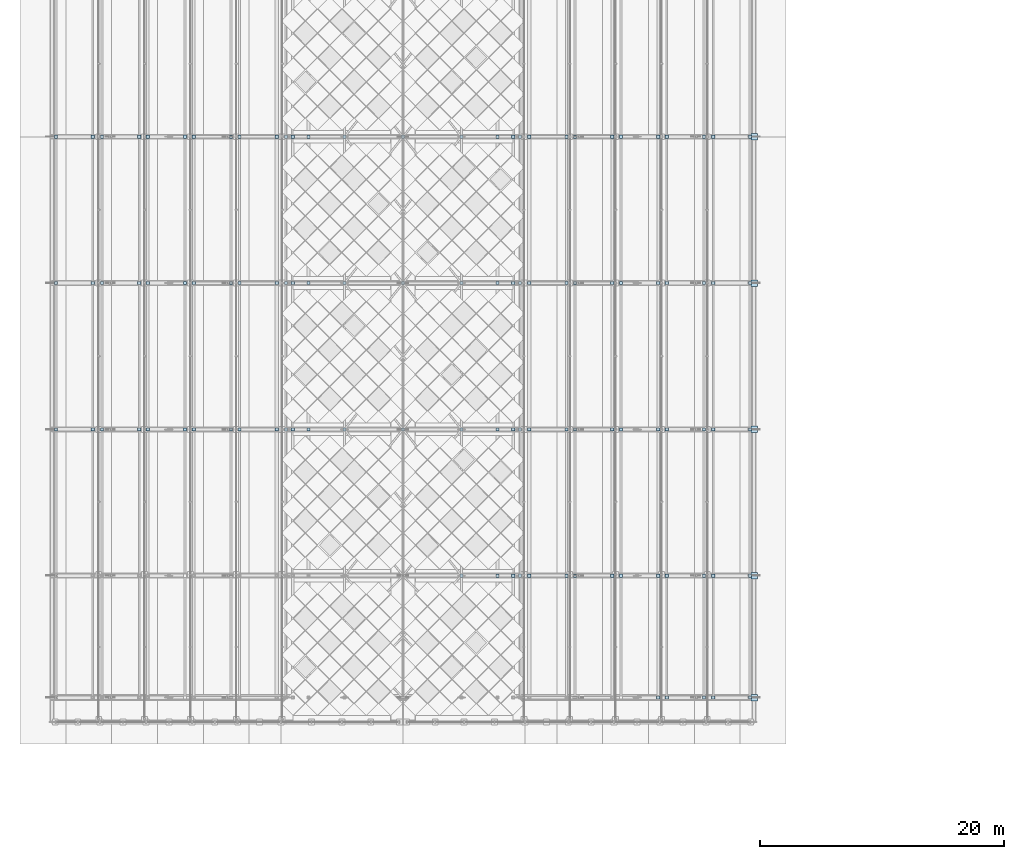
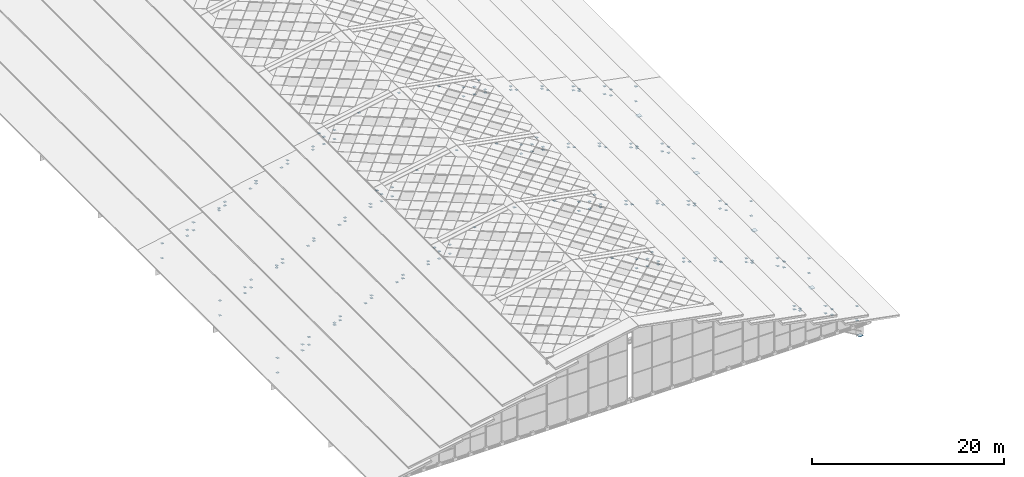
# One storey, part 104 of 117: 186 plates.
"""IFC4 building model written with IfcOpenShell, lengths in metres."""

from ifc_helpers import new_model, si_unit, direction, frame, origin, origin_2d, place, context, subcontext, project, spatial, rectangle, extrude, material, layer, layer_set, type_object, element, save


model = new_model("IFC4")

# Units and contexts
model_context = context("Model", 3, precision=1e-05, world=origin(), true_north=direction((0.0, 1.0)))
body_context = subcontext(model_context, "Body", "Model", "MODEL_VIEW")
ifc_project = project(units=[si_unit("LENGTHUNIT", "METRE"), si_unit("AREAUNIT", "SQUARE_METRE"), si_unit("VOLUMEUNIT", "CUBIC_METRE"), si_unit("PLANEANGLEUNIT", "RADIAN"), si_unit("MASSUNIT", "GRAM", prefix="KILO")], contexts=[model_context])

# Site, building, storey
site_placement = place(None, origin())
site = spatial("IfcSite", under=ifc_project, at=site_placement, CompositionType="ELEMENT")
building_placement = place(site_placement, origin())
building = spatial("IfcBuilding", under=site, at=building_placement, Name="Merenkruunu Market Hall", CompositionType="ELEMENT")
storey_placement = place(building_placement, frame((0.0, 0.0, 22.800048828125)))
storey = spatial("IfcBuildingStorey", under=building, at=storey_placement, Name="RF", CompositionType="ELEMENT", Elevation=22.800048828125)

# Plates
ifc_material = material(Name="Steel S355ML", Category="steel")
ifc_layer_1 = layer(ifc_material, 0.02392578125)
ifc_layer_set_1 = layer_set([ifc_layer_1], Name="Steel S355ML")
plate_type_1 = type_object("IfcPlateType", Name="Truss Gusset Or Cap Plate CP03", PredefinedType="USERDEFINED", material=ifc_layer_set_1)
for number, where, z_axis, x_axis, name in (
    (1, (57.60009765625, 17.60009765625, -11.7490234375), (0.0, 0.0, 1.0), (1.0, 0.0, 0.0), "PLT-ARCH-SHOE-E-AT-1"),
    (2, (57.60009765625, 27.60009765625, -11.7490234375), (0.0, 0.0, 1.0), (1.0, 0.0, 0.0), "PLT-ARCH-SHOE-E-AT-2"),
    (3, (57.60009765625, 39.60009765625, -11.7490234375), (0.0, 0.0, 1.0), (1.0, 0.0, 0.0), "PLT-ARCH-SHOE-E-AT-3"),
    (4, (57.60009765625, 51.60009765625, -11.7490234375), (0.0, 0.0, 1.0), (1.0, 0.0, 0.0), "PLT-ARCH-SHOE-E-AT-4"),
    (5, (57.60009765625, 63.60009765625, -11.7490234375), (0.0, 0.0, 1.0), (1.0, 0.0, 0.0), "PLT-ARCH-SHOE-E-AT-5"),
):
    element("IfcPlate", number, at=place(storey_placement, frame(where, z_axis=z_axis, x_axis=x_axis)), inside=storey, type_object=plate_type_1, Name=name, ObjectType="GUSSET_PLATE", PredefinedType="USERDEFINED", context=body_context, shape_type="SweptSolid", body=[
        extrude(rectangle(XDim=0.5400390625, YDim=0.5400390625, at=origin_2d()), origin(), (0.0, 0.0, 1.0), 0.02392578125),
    ])
ifc_layer_2 = layer(ifc_material, 0.02001953125)
ifc_layer_set_2 = layer_set([ifc_layer_2], Name="Steel S355ML")
plate_type_2 = type_object("IfcPlateType", Name="Truss Gusset Or Cap Plate CP04", PredefinedType="USERDEFINED", material=ifc_layer_set_2)
for number, where, z_axis, x_axis, name in (
    (6, (57.25, 17.60009765625, -9.718994140625), (0.0, 0.0, 1.0), (1.0, 0.0, 0.0), "PLT-AT-1-RBASE-E1-1"),
    (7, (57.25, 17.60009765625, -7.900390625), (0.0, 0.0, 1.0), (1.0, 0.0, 0.0), "PLT-AT-1-RCAP-E1-1"),
    (8, (54.25, 17.60009765625, -7.947998046875), (0.0, 0.0, 1.0), (1.0, 0.0, 0.0), "PLT-AT-1-RBASE-E1-2"),
    (9, (54.25, 17.60009765625, -7.241455078125), (0.0, 0.0, 1.0), (1.0, 0.0, 0.0), "PLT-AT-1-RCAP-E1-2"),
    (10, (53.489990234375, 17.60009765625, -7.4990234375), (0.0, 0.0, 1.0), (1.0, 0.0, 0.0), "PLT-AT-1-RBASE-E2-1"),
    (11, (53.489990234375, 17.60009765625, -6.56005859375), (0.0, 0.0, 1.0), (1.0, 0.0, 0.0), "PLT-AT-1-RCAP-E2-1"),
    (12, (50.429931640625, 17.60009765625, -6.09326171875), (0.0, 0.0, 1.0), (1.0, 0.0, 0.0), "PLT-AT-1-RBASE-E2-2"),
    (13, (50.429931640625, 17.60009765625, -5.827392578125), (0.0, 0.0, 1.0), (1.0, 0.0, 0.0), "PLT-AT-1-RCAP-E2-2"),
    (14, (49.72998046875, 17.60009765625, -5.68798828125), (0.0, 0.0, 1.0), (1.0, 0.0, 0.0), "PLT-AT-1-RBASE-E3-1"),
    (15, (49.72998046875, 17.60009765625, -5.26025390625), (0.0, 0.0, 1.0), (1.0, 0.0, 0.0), "PLT-AT-1-RCAP-E3-1"),
    (16, (33.60009765625, 27.60009765625, 0.40185546875), (0.0, 0.0, 1.0), (1.0, 0.0, 0.0), "PLT-AT-2-PCAP-07"),
    (17, (38.39990234375, 27.60009765625, -0.50048828125), (0.0, 0.0, 1.0), (1.0, 0.0, 0.0), "PLT-AT-2-PCAP-08"),
    (18, (57.25, 27.60009765625, -9.769775390625), (0.0, 0.0, 1.0), (1.0, 0.0, 0.0), "PLT-AT-2-RBASE-E1-1"),
    (19, (57.25, 27.60009765625, -7.900390625), (0.0, 0.0, 1.0), (1.0, 0.0, 0.0), "PLT-AT-2-RCAP-E1-1"),
    (20, (54.25, 27.60009765625, -7.998779296875), (0.0, 0.0, 1.0), (1.0, 0.0, 0.0), "PLT-AT-2-RBASE-E1-2"),
    (21, (54.25, 27.60009765625, -7.241455078125), (0.0, 0.0, 1.0), (1.0, 0.0, 0.0), "PLT-AT-2-RCAP-E1-2"),
    (22, (53.489990234375, 27.60009765625, -7.5498046875), (0.0, 0.0, 1.0), (1.0, 0.0, 0.0), "PLT-AT-2-RBASE-E2-1"),
    (23, (53.489990234375, 27.60009765625, -6.56005859375), (0.0, 0.0, 1.0), (1.0, 0.0, 0.0), "PLT-AT-2-RCAP-E2-1"),
    (24, (50.429931640625, 27.60009765625, -6.09326171875), (0.0, 0.0, 1.0), (1.0, 0.0, 0.0), "PLT-AT-2-RBASE-E2-2"),
    (25, (50.429931640625, 27.60009765625, -5.827392578125), (0.0, 0.0, 1.0), (1.0, 0.0, 0.0), "PLT-AT-2-RCAP-E2-2"),
    (26, (49.72998046875, 27.60009765625, -5.73876953125), (0.0, 0.0, 1.0), (1.0, 0.0, 0.0), "PLT-AT-2-RBASE-E3-1"),
    (27, (49.72998046875, 27.60009765625, -5.26025390625), (0.0, 0.0, 1.0), (1.0, 0.0, 0.0), "PLT-AT-2-RCAP-E3-1"),
    (28, (46.669921875, 27.60009765625, -4.65234375), (0.0, 0.0, 1.0), (1.0, 0.0, 0.0), "PLT-AT-2-RCAP-E3-2"),
    (29, (45.969970703125, 27.60009765625, -4.25390625), (0.0, 0.0, 1.0), (1.0, 0.0, 0.0), "PLT-AT-2-RBASE-E4-1"),
    (30, (45.969970703125, 27.60009765625, -3.920166015625), (0.0, 0.0, 1.0), (1.0, 0.0, 0.0), "PLT-AT-2-RCAP-E4-1"),
    (31, (42.909912109375, 27.60009765625, -3.3046875), (0.0, 0.0, 1.0), (1.0, 0.0, 0.0), "PLT-AT-2-RCAP-E4-2"),
    (32, (42.2099609375, 27.60009765625, -3.07177734375), (0.0, 0.0, 1.0), (1.0, 0.0, 0.0), "PLT-AT-2-RBASE-E5-1"),
    (33, (42.2099609375, 27.60009765625, -2.620361328125), (0.0, 0.0, 1.0), (1.0, 0.0, 0.0), "PLT-AT-2-RCAP-E5-1"),
    (34, (39.14990234375, 27.60009765625, -2.344970703125), (0.0, 0.0, 1.0), (1.0, 0.0, 0.0), "PLT-AT-2-RBASE-E5-2"),
    (35, (39.14990234375, 27.60009765625, -1.954345703125), (0.0, 0.0, 1.0), (1.0, 0.0, 0.0), "PLT-AT-2-RCAP-E5-2"),
    (36, (37.840087890625, 27.60009765625, -2.0888671875), (0.0, 0.0, 1.0), (1.0, 0.0, 0.0), "PLT-AT-2-RBASE-E6-1"),
    (37, (37.840087890625, 27.60009765625, -1.1669921875), (0.0, 0.0, 1.0), (1.0, 0.0, 0.0), "PLT-AT-2-RCAP-E6-1"),
    (38, (36.550048828125, 27.60009765625, -1.907958984375), (0.0, 0.0, 1.0), (1.0, 0.0, 0.0), "PLT-AT-2-RBASE-E6-2"),
    (39, (36.550048828125, 27.60009765625, -0.763427734375), (0.0, 0.0, 1.0), (1.0, 0.0, 0.0), "PLT-AT-2-RCAP-E6-2"),
    (40, (19.199951171875, 39.60009765625, -0.50048828125), (0.0, 0.0, 1.0), (1.0, 0.0, 0.0), "PLT-AT-3-PCAP-04"),
    (41, (24.0, 39.60009765625, 0.40185546875), (0.0, 0.0, 1.0), (1.0, 0.0, 0.0), "PLT-AT-3-PCAP-05"),
    (42, (28.800048828125, 39.60009765625, 1.25439453125), (0.0, 0.0, 1.0), (1.0, 0.0, 0.0), "PLT-AT-3-PCAP-06"),
    (43, (33.60009765625, 39.60009765625, 0.40185546875), (0.0, 0.0, 1.0), (1.0, 0.0, 0.0), "PLT-AT-3-PCAP-07"),
    (44, (38.39990234375, 39.60009765625, -0.50048828125), (0.0, 0.0, 1.0), (1.0, 0.0, 0.0), "PLT-AT-3-PCAP-08"),
    (45, (0.35009765625, 39.60009765625, -9.769775390625), (0.0, 0.0, 1.0), (1.0, 0.0, 0.0), "PLT-AT-3-RBASE-W1-1"),
    (46, (0.35009765625, 39.60009765625, -7.900390625), (0.0, 0.0, 1.0), (1.0, 0.0, 0.0), "PLT-AT-3-RCAP-W1-1"),
    (47, (57.25, 39.60009765625, -9.769775390625), (0.0, 0.0, 1.0), (1.0, 0.0, 0.0), "PLT-AT-3-RBASE-E1-1"),
    (48, (57.25, 39.60009765625, -7.900390625), (0.0, 0.0, 1.0), (1.0, 0.0, 0.0), "PLT-AT-3-RCAP-E1-1"),
    (49, (3.35009765625, 39.60009765625, -7.998779296875), (0.0, 0.0, 1.0), (1.0, 0.0, 0.0), "PLT-AT-3-RBASE-W1-2"),
    (50, (3.35009765625, 39.60009765625, -7.241455078125), (0.0, 0.0, 1.0), (1.0, 0.0, 0.0), "PLT-AT-3-RCAP-W1-2"),
    (51, (54.25, 39.60009765625, -7.998779296875), (0.0, 0.0, 1.0), (1.0, 0.0, 0.0), "PLT-AT-3-RBASE-E1-2"),
    (52, (54.25, 39.60009765625, -7.241455078125), (0.0, 0.0, 1.0), (1.0, 0.0, 0.0), "PLT-AT-3-RCAP-E1-2"),
    (53, (4.110107421875, 39.60009765625, -7.5498046875), (0.0, 0.0, 1.0), (1.0, 0.0, 0.0), "PLT-AT-3-RBASE-W2-1"),
    (54, (4.110107421875, 39.60009765625, -6.56005859375), (0.0, 0.0, 1.0), (1.0, 0.0, 0.0), "PLT-AT-3-RCAP-W2-1"),
    (55, (53.489990234375, 39.60009765625, -7.5498046875), (0.0, 0.0, 1.0), (1.0, 0.0, 0.0), "PLT-AT-3-RBASE-E2-1"),
    (56, (53.489990234375, 39.60009765625, -6.56005859375), (0.0, 0.0, 1.0), (1.0, 0.0, 0.0), "PLT-AT-3-RCAP-E2-1"),
    (57, (7.169921875, 39.60009765625, -6.09326171875), (0.0, 0.0, 1.0), (1.0, 0.0, 0.0), "PLT-AT-3-RBASE-W2-2"),
    (58, (7.169921875, 39.60009765625, -5.827392578125), (0.0, 0.0, 1.0), (1.0, 0.0, 0.0), "PLT-AT-3-RCAP-W2-2"),
    (59, (50.429931640625, 39.60009765625, -6.09326171875), (0.0, 0.0, 1.0), (1.0, 0.0, 0.0), "PLT-AT-3-RBASE-E2-2"),
    (60, (50.429931640625, 39.60009765625, -5.827392578125), (0.0, 0.0, 1.0), (1.0, 0.0, 0.0), "PLT-AT-3-RCAP-E2-2"),
    (61, (7.8701171875, 39.60009765625, -5.73876953125), (0.0, 0.0, 1.0), (1.0, 0.0, 0.0), "PLT-AT-3-RBASE-W3-1"),
    (62, (7.8701171875, 39.60009765625, -5.26025390625), (0.0, 0.0, 1.0), (1.0, 0.0, 0.0), "PLT-AT-3-RCAP-W3-1"),
    (63, (49.72998046875, 39.60009765625, -5.73876953125), (0.0, 0.0, 1.0), (1.0, 0.0, 0.0), "PLT-AT-3-RBASE-E3-1"),
    (64, (49.72998046875, 39.60009765625, -5.26025390625), (0.0, 0.0, 1.0), (1.0, 0.0, 0.0), "PLT-AT-3-RCAP-E3-1"),
    (65, (10.929931640625, 39.60009765625, -4.65234375), (0.0, 0.0, 1.0), (1.0, 0.0, 0.0), "PLT-AT-3-RCAP-W3-2"),
    (66, (46.669921875, 39.60009765625, -4.65234375), (0.0, 0.0, 1.0), (1.0, 0.0, 0.0), "PLT-AT-3-RCAP-E3-2"),
    (67, (11.6298828125, 39.60009765625, -4.25390625), (0.0, 0.0, 1.0), (1.0, 0.0, 0.0), "PLT-AT-3-RBASE-W4-1"),
    (68, (11.6298828125, 39.60009765625, -3.920166015625), (0.0, 0.0, 1.0), (1.0, 0.0, 0.0), "PLT-AT-3-RCAP-W4-1"),
    (69, (45.969970703125, 39.60009765625, -4.25390625), (0.0, 0.0, 1.0), (1.0, 0.0, 0.0), "PLT-AT-3-RBASE-E4-1"),
    (70, (45.969970703125, 39.60009765625, -3.920166015625), (0.0, 0.0, 1.0), (1.0, 0.0, 0.0), "PLT-AT-3-RCAP-E4-1"),
    (71, (14.68994140625, 39.60009765625, -3.3046875), (0.0, 0.0, 1.0), (1.0, 0.0, 0.0), "PLT-AT-3-RCAP-W4-2"),
    (72, (42.909912109375, 39.60009765625, -3.3046875), (0.0, 0.0, 1.0), (1.0, 0.0, 0.0), "PLT-AT-3-RCAP-E4-2"),
    (73, (15.389892578125, 39.60009765625, -3.07177734375), (0.0, 0.0, 1.0), (1.0, 0.0, 0.0), "PLT-AT-3-RBASE-W5-1"),
    (74, (15.389892578125, 39.60009765625, -2.620361328125), (0.0, 0.0, 1.0), (1.0, 0.0, 0.0), "PLT-AT-3-RCAP-W5-1"),
    (75, (42.2099609375, 39.60009765625, -3.07177734375), (0.0, 0.0, 1.0), (1.0, 0.0, 0.0), "PLT-AT-3-RBASE-E5-1"),
    (76, (42.2099609375, 39.60009765625, -2.620361328125), (0.0, 0.0, 1.0), (1.0, 0.0, 0.0), "PLT-AT-3-RCAP-E5-1"),
    (77, (18.449951171875, 39.60009765625, -2.344970703125), (0.0, 0.0, 1.0), (1.0, 0.0, 0.0), "PLT-AT-3-RBASE-W5-2"),
    (78, (18.449951171875, 39.60009765625, -1.954345703125), (0.0, 0.0, 1.0), (1.0, 0.0, 0.0), "PLT-AT-3-RCAP-W5-2"),
    (79, (39.14990234375, 39.60009765625, -2.344970703125), (0.0, 0.0, 1.0), (1.0, 0.0, 0.0), "PLT-AT-3-RBASE-E5-2"),
    (80, (39.14990234375, 39.60009765625, -1.954345703125), (0.0, 0.0, 1.0), (1.0, 0.0, 0.0), "PLT-AT-3-RCAP-E5-2"),
    (81, (19.760009765625, 39.60009765625, -2.0888671875), (0.0, 0.0, 1.0), (1.0, 0.0, 0.0), "PLT-AT-3-RBASE-W6-1"),
    (82, (19.760009765625, 39.60009765625, -1.1669921875), (0.0, 0.0, 1.0), (1.0, 0.0, 0.0), "PLT-AT-3-RCAP-W6-1"),
    (83, (37.840087890625, 39.60009765625, -2.0888671875), (0.0, 0.0, 1.0), (1.0, 0.0, 0.0), "PLT-AT-3-RBASE-E6-1"),
    (84, (37.840087890625, 39.60009765625, -1.1669921875), (0.0, 0.0, 1.0), (1.0, 0.0, 0.0), "PLT-AT-3-RCAP-E6-1"),
    (85, (21.050048828125, 39.60009765625, -1.907958984375), (0.0, 0.0, 1.0), (1.0, 0.0, 0.0), "PLT-AT-3-RBASE-W6-2"),
    (86, (21.050048828125, 39.60009765625, -0.763427734375), (0.0, 0.0, 1.0), (1.0, 0.0, 0.0), "PLT-AT-3-RCAP-W6-2"),
    (87, (36.550048828125, 39.60009765625, -1.907958984375), (0.0, 0.0, 1.0), (1.0, 0.0, 0.0), "PLT-AT-3-RBASE-E6-2"),
    (88, (36.550048828125, 39.60009765625, -0.763427734375), (0.0, 0.0, 1.0), (1.0, 0.0, 0.0), "PLT-AT-3-RCAP-E6-2"),
    (89, (19.199951171875, 51.60009765625, -0.50048828125), (0.0, 0.0, 1.0), (1.0, 0.0, 0.0), "PLT-AT-4-PCAP-04"),
    (90, (24.0, 51.60009765625, 0.40185546875), (0.0, 0.0, 1.0), (1.0, 0.0, 0.0), "PLT-AT-4-PCAP-05"),
    (91, (28.800048828125, 51.60009765625, 1.25439453125), (0.0, 0.0, 1.0), (1.0, 0.0, 0.0), "PLT-AT-4-PCAP-06"),
    (92, (33.60009765625, 51.60009765625, 0.40185546875), (0.0, 0.0, 1.0), (1.0, 0.0, 0.0), "PLT-AT-4-PCAP-07"),
    (93, (38.39990234375, 51.60009765625, -0.50048828125), (0.0, 0.0, 1.0), (1.0, 0.0, 0.0), "PLT-AT-4-PCAP-08"),
    (94, (0.35009765625, 51.60009765625, -9.769775390625), (0.0, 0.0, 1.0), (1.0, 0.0, 0.0), "PLT-AT-4-RBASE-W1-1"),
    (95, (0.35009765625, 51.60009765625, -7.900390625), (0.0, 0.0, 1.0), (1.0, 0.0, 0.0), "PLT-AT-4-RCAP-W1-1"),
    (96, (57.25, 51.60009765625, -9.769775390625), (0.0, 0.0, 1.0), (1.0, 0.0, 0.0), "PLT-AT-4-RBASE-E1-1"),
    (97, (57.25, 51.60009765625, -7.900390625), (0.0, 0.0, 1.0), (1.0, 0.0, 0.0), "PLT-AT-4-RCAP-E1-1"),
    (98, (3.35009765625, 51.60009765625, -7.998779296875), (0.0, 0.0, 1.0), (1.0, 0.0, 0.0), "PLT-AT-4-RBASE-W1-2"),
    (99, (3.35009765625, 51.60009765625, -7.241455078125), (0.0, 0.0, 1.0), (1.0, 0.0, 0.0), "PLT-AT-4-RCAP-W1-2"),
    (100, (54.25, 51.60009765625, -7.998779296875), (0.0, 0.0, 1.0), (1.0, 0.0, 0.0), "PLT-AT-4-RBASE-E1-2"),
    (101, (54.25, 51.60009765625, -7.241455078125), (0.0, 0.0, 1.0), (1.0, 0.0, 0.0), "PLT-AT-4-RCAP-E1-2"),
    (102, (4.110107421875, 51.60009765625, -7.5498046875), (0.0, 0.0, 1.0), (1.0, 0.0, 0.0), "PLT-AT-4-RBASE-W2-1"),
    (103, (4.110107421875, 51.60009765625, -6.56005859375), (0.0, 0.0, 1.0), (1.0, 0.0, 0.0), "PLT-AT-4-RCAP-W2-1"),
    (104, (53.489990234375, 51.60009765625, -7.5498046875), (0.0, 0.0, 1.0), (1.0, 0.0, 0.0), "PLT-AT-4-RBASE-E2-1"),
    (105, (53.489990234375, 51.60009765625, -6.56005859375), (0.0, 0.0, 1.0), (1.0, 0.0, 0.0), "PLT-AT-4-RCAP-E2-1"),
    (106, (7.169921875, 51.60009765625, -6.09326171875), (0.0, 0.0, 1.0), (1.0, 0.0, 0.0), "PLT-AT-4-RBASE-W2-2"),
    (107, (7.169921875, 51.60009765625, -5.827392578125), (0.0, 0.0, 1.0), (1.0, 0.0, 0.0), "PLT-AT-4-RCAP-W2-2"),
    (108, (50.429931640625, 51.60009765625, -6.09326171875), (0.0, 0.0, 1.0), (1.0, 0.0, 0.0), "PLT-AT-4-RBASE-E2-2"),
    (109, (50.429931640625, 51.60009765625, -5.827392578125), (0.0, 0.0, 1.0), (1.0, 0.0, 0.0), "PLT-AT-4-RCAP-E2-2"),
    (110, (7.8701171875, 51.60009765625, -5.73876953125), (0.0, 0.0, 1.0), (1.0, 0.0, 0.0), "PLT-AT-4-RBASE-W3-1"),
    (111, (7.8701171875, 51.60009765625, -5.26025390625), (0.0, 0.0, 1.0), (1.0, 0.0, 0.0), "PLT-AT-4-RCAP-W3-1"),
    (112, (49.72998046875, 51.60009765625, -5.73876953125), (0.0, 0.0, 1.0), (1.0, 0.0, 0.0), "PLT-AT-4-RBASE-E3-1"),
    (113, (49.72998046875, 51.60009765625, -5.26025390625), (0.0, 0.0, 1.0), (1.0, 0.0, 0.0), "PLT-AT-4-RCAP-E3-1"),
    (114, (10.929931640625, 51.60009765625, -4.65234375), (0.0, 0.0, 1.0), (1.0, 0.0, 0.0), "PLT-AT-4-RCAP-W3-2"),
    (115, (46.669921875, 51.60009765625, -4.65234375), (0.0, 0.0, 1.0), (1.0, 0.0, 0.0), "PLT-AT-4-RCAP-E3-2"),
    (116, (11.6298828125, 51.60009765625, -4.25390625), (0.0, 0.0, 1.0), (1.0, 0.0, 0.0), "PLT-AT-4-RBASE-W4-1"),
    (117, (11.6298828125, 51.60009765625, -3.920166015625), (0.0, 0.0, 1.0), (1.0, 0.0, 0.0), "PLT-AT-4-RCAP-W4-1"),
    (118, (45.969970703125, 51.60009765625, -4.25390625), (0.0, 0.0, 1.0), (1.0, 0.0, 0.0), "PLT-AT-4-RBASE-E4-1"),
    (119, (45.969970703125, 51.60009765625, -3.920166015625), (0.0, 0.0, 1.0), (1.0, 0.0, 0.0), "PLT-AT-4-RCAP-E4-1"),
    (120, (14.68994140625, 51.60009765625, -3.3046875), (0.0, 0.0, 1.0), (1.0, 0.0, 0.0), "PLT-AT-4-RCAP-W4-2"),
    (121, (42.909912109375, 51.60009765625, -3.3046875), (0.0, 0.0, 1.0), (1.0, 0.0, 0.0), "PLT-AT-4-RCAP-E4-2"),
    (122, (15.389892578125, 51.60009765625, -3.07177734375), (0.0, 0.0, 1.0), (1.0, 0.0, 0.0), "PLT-AT-4-RBASE-W5-1"),
    (123, (15.389892578125, 51.60009765625, -2.620361328125), (0.0, 0.0, 1.0), (1.0, 0.0, 0.0), "PLT-AT-4-RCAP-W5-1"),
    (124, (42.2099609375, 51.60009765625, -3.07177734375), (0.0, 0.0, 1.0), (1.0, 0.0, 0.0), "PLT-AT-4-RBASE-E5-1"),
    (125, (42.2099609375, 51.60009765625, -2.620361328125), (0.0, 0.0, 1.0), (1.0, 0.0, 0.0), "PLT-AT-4-RCAP-E5-1"),
    (126, (18.449951171875, 51.60009765625, -2.344970703125), (0.0, 0.0, 1.0), (1.0, 0.0, 0.0), "PLT-AT-4-RBASE-W5-2"),
    (127, (18.449951171875, 51.60009765625, -1.954345703125), (0.0, 0.0, 1.0), (1.0, 0.0, 0.0), "PLT-AT-4-RCAP-W5-2"),
    (128, (39.14990234375, 51.60009765625, -2.344970703125), (0.0, 0.0, 1.0), (1.0, 0.0, 0.0), "PLT-AT-4-RBASE-E5-2"),
    (129, (39.14990234375, 51.60009765625, -1.954345703125), (0.0, 0.0, 1.0), (1.0, 0.0, 0.0), "PLT-AT-4-RCAP-E5-2"),
    (130, (19.760009765625, 51.60009765625, -2.0888671875), (0.0, 0.0, 1.0), (1.0, 0.0, 0.0), "PLT-AT-4-RBASE-W6-1"),
    (131, (19.760009765625, 51.60009765625, -1.1669921875), (0.0, 0.0, 1.0), (1.0, 0.0, 0.0), "PLT-AT-4-RCAP-W6-1"),
    (132, (37.840087890625, 51.60009765625, -2.0888671875), (0.0, 0.0, 1.0), (1.0, 0.0, 0.0), "PLT-AT-4-RBASE-E6-1"),
    (133, (37.840087890625, 51.60009765625, -1.1669921875), (0.0, 0.0, 1.0), (1.0, 0.0, 0.0), "PLT-AT-4-RCAP-E6-1"),
    (134, (21.050048828125, 51.60009765625, -1.907958984375), (0.0, 0.0, 1.0), (1.0, 0.0, 0.0), "PLT-AT-4-RBASE-W6-2"),
    (135, (21.050048828125, 51.60009765625, -0.763427734375), (0.0, 0.0, 1.0), (1.0, 0.0, 0.0), "PLT-AT-4-RCAP-W6-2"),
    (136, (36.550048828125, 51.60009765625, -1.907958984375), (0.0, 0.0, 1.0), (1.0, 0.0, 0.0), "PLT-AT-4-RBASE-E6-2"),
    (137, (36.550048828125, 51.60009765625, -0.763427734375), (0.0, 0.0, 1.0), (1.0, 0.0, 0.0), "PLT-AT-4-RCAP-E6-2"),
    (138, (19.199951171875, 63.60009765625, -0.50048828125), (0.0, 0.0, 1.0), (1.0, 0.0, 0.0), "PLT-AT-5-PCAP-04"),
    (139, (24.0, 63.60009765625, 0.40185546875), (0.0, 0.0, 1.0), (1.0, 0.0, 0.0), "PLT-AT-5-PCAP-05"),
    (140, (28.800048828125, 63.60009765625, 1.25439453125), (0.0, 0.0, 1.0), (1.0, 0.0, 0.0), "PLT-AT-5-PCAP-06"),
    (141, (33.60009765625, 63.60009765625, 0.40185546875), (0.0, 0.0, 1.0), (1.0, 0.0, 0.0), "PLT-AT-5-PCAP-07"),
    (142, (38.39990234375, 63.60009765625, -0.50048828125), (0.0, 0.0, 1.0), (1.0, 0.0, 0.0), "PLT-AT-5-PCAP-08"),
    (143, (0.35009765625, 63.60009765625, -9.769775390625), (0.0, 0.0, 1.0), (1.0, 0.0, 0.0), "PLT-AT-5-RBASE-W1-1"),
    (144, (0.35009765625, 63.60009765625, -7.900390625), (0.0, 0.0, 1.0), (1.0, 0.0, 0.0), "PLT-AT-5-RCAP-W1-1"),
    (145, (57.25, 63.60009765625, -9.769775390625), (0.0, 0.0, 1.0), (1.0, 0.0, 0.0), "PLT-AT-5-RBASE-E1-1"),
    (146, (57.25, 63.60009765625, -7.900390625), (0.0, 0.0, 1.0), (1.0, 0.0, 0.0), "PLT-AT-5-RCAP-E1-1"),
    (147, (3.35009765625, 63.60009765625, -7.998779296875), (0.0, 0.0, 1.0), (1.0, 0.0, 0.0), "PLT-AT-5-RBASE-W1-2"),
    (148, (3.35009765625, 63.60009765625, -7.241455078125), (0.0, 0.0, 1.0), (1.0, 0.0, 0.0), "PLT-AT-5-RCAP-W1-2"),
    (149, (54.25, 63.60009765625, -7.998779296875), (0.0, 0.0, 1.0), (1.0, 0.0, 0.0), "PLT-AT-5-RBASE-E1-2"),
    (150, (54.25, 63.60009765625, -7.241455078125), (0.0, 0.0, 1.0), (1.0, 0.0, 0.0), "PLT-AT-5-RCAP-E1-2"),
    (151, (4.110107421875, 63.60009765625, -7.5498046875), (0.0, 0.0, 1.0), (1.0, 0.0, 0.0), "PLT-AT-5-RBASE-W2-1"),
    (152, (4.110107421875, 63.60009765625, -6.56005859375), (0.0, 0.0, 1.0), (1.0, 0.0, 0.0), "PLT-AT-5-RCAP-W2-1"),
    (153, (53.489990234375, 63.60009765625, -7.5498046875), (0.0, 0.0, 1.0), (1.0, 0.0, 0.0), "PLT-AT-5-RBASE-E2-1"),
    (154, (53.489990234375, 63.60009765625, -6.56005859375), (0.0, 0.0, 1.0), (1.0, 0.0, 0.0), "PLT-AT-5-RCAP-E2-1"),
    (155, (7.169921875, 63.60009765625, -6.09326171875), (0.0, 0.0, 1.0), (1.0, 0.0, 0.0), "PLT-AT-5-RBASE-W2-2"),
    (156, (7.169921875, 63.60009765625, -5.827392578125), (0.0, 0.0, 1.0), (1.0, 0.0, 0.0), "PLT-AT-5-RCAP-W2-2"),
    (157, (50.429931640625, 63.60009765625, -6.09326171875), (0.0, 0.0, 1.0), (1.0, 0.0, 0.0), "PLT-AT-5-RBASE-E2-2"),
    (158, (50.429931640625, 63.60009765625, -5.827392578125), (0.0, 0.0, 1.0), (1.0, 0.0, 0.0), "PLT-AT-5-RCAP-E2-2"),
    (159, (7.8701171875, 63.60009765625, -5.73876953125), (0.0, 0.0, 1.0), (1.0, 0.0, 0.0), "PLT-AT-5-RBASE-W3-1"),
    (160, (7.8701171875, 63.60009765625, -5.26025390625), (0.0, 0.0, 1.0), (1.0, 0.0, 0.0), "PLT-AT-5-RCAP-W3-1"),
    (161, (49.72998046875, 63.60009765625, -5.73876953125), (0.0, 0.0, 1.0), (1.0, 0.0, 0.0), "PLT-AT-5-RBASE-E3-1"),
    (162, (49.72998046875, 63.60009765625, -5.26025390625), (0.0, 0.0, 1.0), (1.0, 0.0, 0.0), "PLT-AT-5-RCAP-E3-1"),
    (163, (10.929931640625, 63.60009765625, -4.65234375), (0.0, 0.0, 1.0), (1.0, 0.0, 0.0), "PLT-AT-5-RCAP-W3-2"),
    (164, (46.669921875, 63.60009765625, -4.65234375), (0.0, 0.0, 1.0), (1.0, 0.0, 0.0), "PLT-AT-5-RCAP-E3-2"),
    (165, (11.6298828125, 63.60009765625, -4.25390625), (0.0, 0.0, 1.0), (1.0, 0.0, 0.0), "PLT-AT-5-RBASE-W4-1"),
    (166, (11.6298828125, 63.60009765625, -3.920166015625), (0.0, 0.0, 1.0), (1.0, 0.0, 0.0), "PLT-AT-5-RCAP-W4-1"),
    (167, (45.969970703125, 63.60009765625, -4.25390625), (0.0, 0.0, 1.0), (1.0, 0.0, 0.0), "PLT-AT-5-RBASE-E4-1"),
    (168, (45.969970703125, 63.60009765625, -3.920166015625), (0.0, 0.0, 1.0), (1.0, 0.0, 0.0), "PLT-AT-5-RCAP-E4-1"),
    (169, (14.68994140625, 63.60009765625, -3.3046875), (0.0, 0.0, 1.0), (1.0, 0.0, 0.0), "PLT-AT-5-RCAP-W4-2"),
    (170, (42.909912109375, 63.60009765625, -3.3046875), (0.0, 0.0, 1.0), (1.0, 0.0, 0.0), "PLT-AT-5-RCAP-E4-2"),
    (171, (15.389892578125, 63.60009765625, -3.07177734375), (0.0, 0.0, 1.0), (1.0, 0.0, 0.0), "PLT-AT-5-RBASE-W5-1"),
    (172, (15.389892578125, 63.60009765625, -2.620361328125), (0.0, 0.0, 1.0), (1.0, 0.0, 0.0), "PLT-AT-5-RCAP-W5-1"),
    (173, (42.2099609375, 63.60009765625, -3.07177734375), (0.0, 0.0, 1.0), (1.0, 0.0, 0.0), "PLT-AT-5-RBASE-E5-1"),
    (174, (42.2099609375, 63.60009765625, -2.620361328125), (0.0, 0.0, 1.0), (1.0, 0.0, 0.0), "PLT-AT-5-RCAP-E5-1"),
    (175, (18.449951171875, 63.60009765625, -2.344970703125), (0.0, 0.0, 1.0), (1.0, 0.0, 0.0), "PLT-AT-5-RBASE-W5-2"),
    (176, (18.449951171875, 63.60009765625, -1.954345703125), (0.0, 0.0, 1.0), (1.0, 0.0, 0.0), "PLT-AT-5-RCAP-W5-2"),
    (177, (39.14990234375, 63.60009765625, -2.344970703125), (0.0, 0.0, 1.0), (1.0, 0.0, 0.0), "PLT-AT-5-RBASE-E5-2"),
    (178, (39.14990234375, 63.60009765625, -1.954345703125), (0.0, 0.0, 1.0), (1.0, 0.0, 0.0), "PLT-AT-5-RCAP-E5-2"),
    (179, (19.760009765625, 63.60009765625, -2.0888671875), (0.0, 0.0, 1.0), (1.0, 0.0, 0.0), "PLT-AT-5-RBASE-W6-1"),
    (180, (19.760009765625, 63.60009765625, -1.1669921875), (0.0, 0.0, 1.0), (1.0, 0.0, 0.0), "PLT-AT-5-RCAP-W6-1"),
    (181, (37.840087890625, 63.60009765625, -2.0888671875), (0.0, 0.0, 1.0), (1.0, 0.0, 0.0), "PLT-AT-5-RBASE-E6-1"),
    (182, (37.840087890625, 63.60009765625, -1.1669921875), (0.0, 0.0, 1.0), (1.0, 0.0, 0.0), "PLT-AT-5-RCAP-E6-1"),
    (183, (21.050048828125, 63.60009765625, -1.907958984375), (0.0, 0.0, 1.0), (1.0, 0.0, 0.0), "PLT-AT-5-RBASE-W6-2"),
    (184, (21.050048828125, 63.60009765625, -0.763427734375), (0.0, 0.0, 1.0), (1.0, 0.0, 0.0), "PLT-AT-5-RCAP-W6-2"),
    (185, (36.550048828125, 63.60009765625, -1.907958984375), (0.0, 0.0, 1.0), (1.0, 0.0, 0.0), "PLT-AT-5-RBASE-E6-2"),
    (186, (36.550048828125, 63.60009765625, -0.763427734375), (0.0, 0.0, 1.0), (1.0, 0.0, 0.0), "PLT-AT-5-RCAP-E6-2"),
):
    element("IfcPlate", number, at=place(storey_placement, frame(where, z_axis=z_axis, x_axis=x_axis)), inside=storey, type_object=plate_type_2, Name=name, ObjectType="GUSSET_PLATE", PredefinedType="USERDEFINED", context=body_context, shape_type="SweptSolid", body=[
        extrude(rectangle(XDim=0.260009765625, YDim=0.260009765625, at=origin_2d()), origin(), (0.0, 0.0, 1.0), 0.02001953125),
    ])

save(model, "model.ifc")
